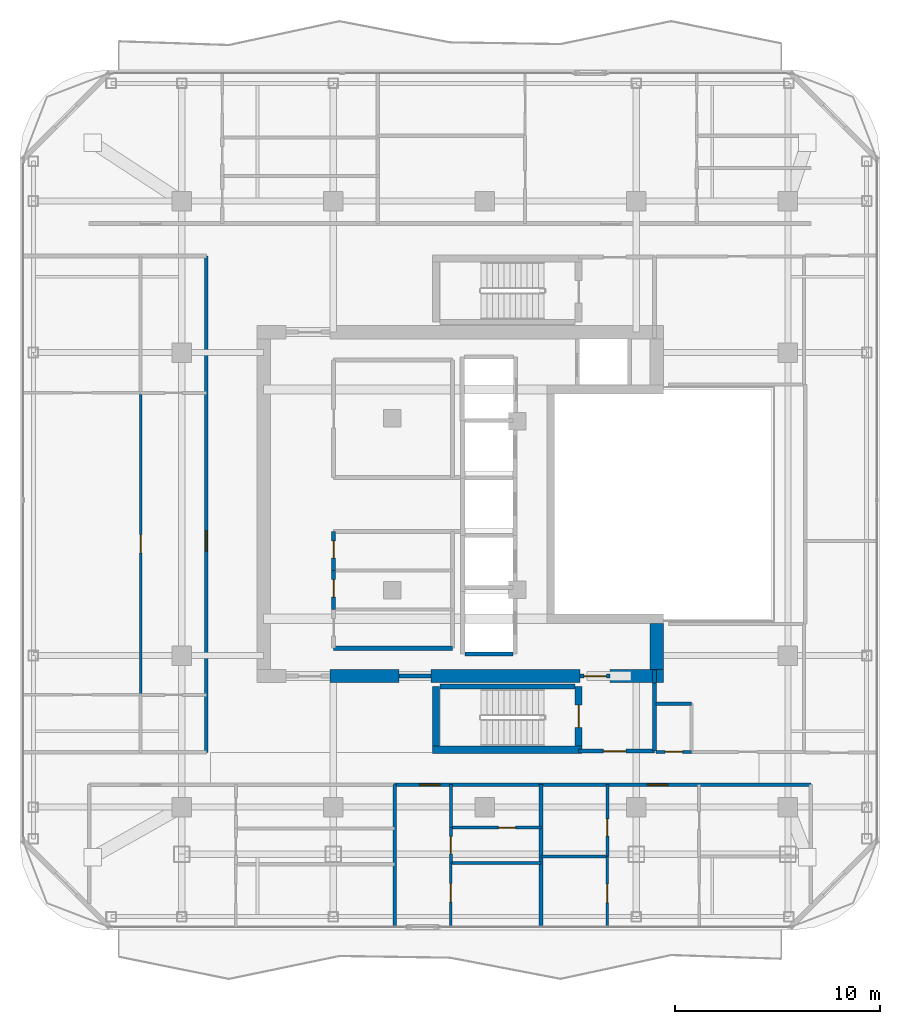
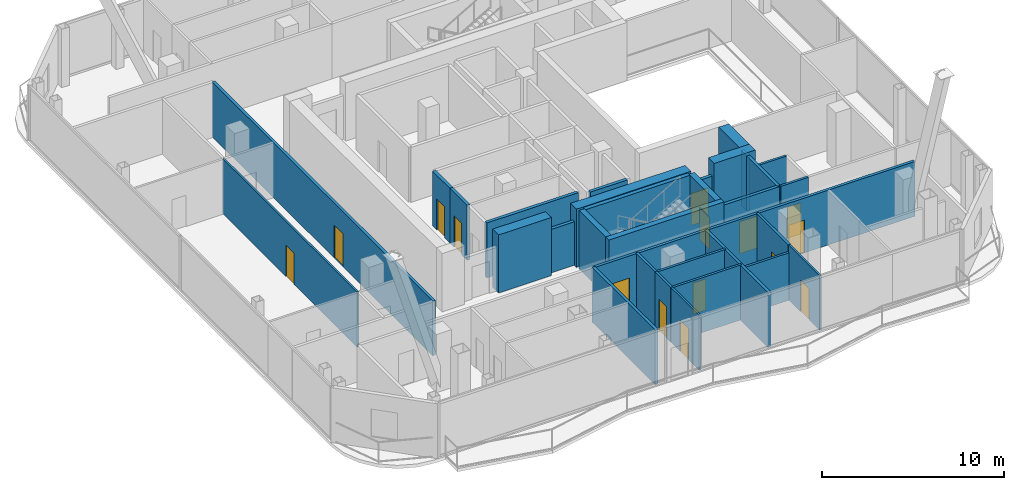
# One storey, part 18 of 24: 33 walls, 15 doors, 15 openings.
"""IFC4 building model written with IfcOpenShell, lengths in metres."""

from ifc_helpers import new_model, si_unit, direction, frame, frame_2d, origin, place, context, subcontext, project, spatial, rectangle, extrude, material, layer, layer_set, type_object, element, fill, save


model = new_model("IFC4")

# Units and contexts
model_context = context("Model", 3, precision=1e-05, world=origin(), true_north=direction((0.0, 1.0)))
body_context = subcontext(model_context, "Body", "Model", "MODEL_VIEW")
ifc_project = project(units=[si_unit("LENGTHUNIT", "METRE"), si_unit("AREAUNIT", "SQUARE_METRE"), si_unit("VOLUMEUNIT", "CUBIC_METRE"), si_unit("PLANEANGLEUNIT", "RADIAN"), si_unit("MASSUNIT", "GRAM", prefix="KILO")], contexts=[model_context])

# Site, building, storey
site_placement = place(None, origin())
site = spatial("IfcSite", under=ifc_project, at=site_placement, CompositionType="ELEMENT")
building_placement = place(site_placement, origin())
building = spatial("IfcBuilding", under=site, at=building_placement, Name="Khorvyn Point Tower", CompositionType="ELEMENT")
storey_placement = place(building_placement, frame((0.0, 0.0, 301.5)))
storey = spatial("IfcBuildingStorey", under=building, at=storey_placement, Name="L74", CompositionType="ELEMENT", Elevation=301.5)

# Wall, opening, door
ifc_material_1 = material(Name="Double acoustic gypsum on twin steel stud", Category="steel")
ifc_layer_1 = layer(ifc_material_1, 0.179931640625)
ifc_layer_set_1 = layer_set([ifc_layer_1], Name="Acoustic Double-Stud Apartment Demising Wall 180")
wall_type_1 = type_object("IfcWallType", Name="Acoustic Double-Stud Apartment Demising Wall 180", PredefinedType="PARTITIONING", material=ifc_layer_set_1)
wall_1_placement = place(storey_placement, frame((-4.402099609375, -13.699951171875, 0.0), z_axis=(0.0, 0.0, 1.0), x_axis=(1.0, 0.0, 0.0)))
wall_1 = element("IfcWall", 1, at=wall_1_placement, inside=storey, type_object=wall_type_1, Name="Wall", PredefinedType="PARTITIONING", context=body_context, shape_type="SweptSolid", body=[
    extrude(rectangle(XDim=7.148193359375, YDim=0.179931640625, at=frame_2d((3.57421875, 0.0))), origin(), (0.0, 0.0, 1.0), 3.679931640625),
])
opening_1_placement = place(wall_1_placement, frame((1.219482421875, 0.0, 0.0)))
opening_1 = element("IfcOpeningElement", 2, at=opening_1_placement, cuts=wall_1, Name="Opening ID-AP60", PredefinedType="OPENING", context=body_context, shape_type="SweptSolid", body=[
    extrude(rectangle(XDim=1.0, YDim=2.199951171875, at=frame_2d((0.5, 1.10009765625))), frame((0.0, 0.099853515625, 0.0), z_axis=(0.0, -1.0, 0.0), x_axis=(1.0, 0.0, 0.0)), (0.0, 0.0, 1.0), 0.199951171875),
])
ifc_material_2 = material(Name="Engineered hardwood fire-rated leaf", Category="wood")
door_type_1 = type_object("IfcDoorType", Name="Acoustic Solid-Core Timber Apartment Entrance Door 1000x2200", OperationType="NOTDEFINED", PredefinedType="DOOR", material=ifc_material_2)
door_1_placement = place(opening_1_placement, origin())
door_1 = element("IfcDoor", 3, at=door_1_placement, inside=storey, type_object=door_type_1, Name="Door", OperationType="SINGLE_SWING_LEFT", OverallHeight=2.199951171875, OverallWidth=1.0, PredefinedType="DOOR", context=body_context, shape_type="SweptSolid", body=[
    extrude(rectangle(XDim=1.0, YDim=2.199951171875, at=frame_2d((0.5, 1.10009765625))), frame((0.0, 0.02490234375, 0.0), z_axis=(0.0, -1.0, 0.0), x_axis=(1.0, 0.0, 0.0)), (0.0, 0.0, 1.0), 0.050048828125),
])
fill(opening_1, door_1)

wall_2_placement = place(storey_placement, frame((2.74609375, -13.699951171875, 0.0), z_axis=(0.0, 0.0, 1.0), x_axis=(1.0, 0.0, 0.0)))
wall_2 = element("IfcWall", 4, at=wall_2_placement, inside=storey, type_object=wall_type_1, Name="Wall", PredefinedType="PARTITIONING", context=body_context, shape_type="SweptSolid", body=[
    extrude(rectangle(XDim=13.173828125, YDim=0.179931640625, at=frame_2d((6.5869140625, 0.0))), origin(), (0.0, 0.0, 1.0), 3.679931640625),
])
opening_2_placement = place(wall_2_placement, frame((5.18896484375, 0.0, 0.0)))
opening_2 = element("IfcOpeningElement", 5, at=opening_2_placement, cuts=wall_2, Name="Opening ID-AP60", PredefinedType="OPENING", context=body_context, shape_type="SweptSolid", body=[
    extrude(rectangle(XDim=1.0, YDim=2.199951171875, at=frame_2d((0.5, 1.10009765625))), frame((0.0, 0.099853515625, 0.0), z_axis=(0.0, -1.0, 0.0), x_axis=(1.0, 0.0, 0.0)), (0.0, 0.0, 1.0), 0.199951171875),
])
door_2_placement = place(opening_2_placement, origin())
door_2 = element("IfcDoor", 6, at=door_2_placement, inside=storey, type_object=door_type_1, Name="Door", OperationType="SINGLE_SWING_LEFT", OverallHeight=2.199951171875, OverallWidth=1.0, PredefinedType="DOOR", context=body_context, shape_type="SweptSolid", body=[
    extrude(rectangle(XDim=1.0, YDim=2.199951171875, at=frame_2d((0.5, 1.10009765625))), frame((0.0, 0.02490234375, 0.0), z_axis=(0.0, -1.0, 0.0), x_axis=(1.0, 0.0, 0.0)), (0.0, 0.0, 1.0), 0.050048828125),
])
fill(opening_2, door_2)

wall_3_placement = place(storey_placement, frame((-13.60009765625, -12.1201171875, 0.0), z_axis=(0.0, 0.0, 1.0), x_axis=(0.0, 1.0, 0.0)))
wall_3 = element("IfcWall", 7, at=wall_3_placement, inside=storey, type_object=wall_type_1, Name="Wall", PredefinedType="PARTITIONING", context=body_context, shape_type="SweptSolid", body=[
    extrude(rectangle(XDim=24.240234375, YDim=0.179931640625, at=frame_2d((12.1201171875, 0.0))), origin(), (0.0, 0.0, 1.0), 3.679931640625),
])
opening_3_placement = place(wall_3_placement, frame((9.829345703125, 0.0, 0.0)))
opening_3 = element("IfcOpeningElement", 8, at=opening_3_placement, cuts=wall_3, Name="Opening ID-AP60", PredefinedType="OPENING", context=body_context, shape_type="SweptSolid", body=[
    extrude(rectangle(XDim=1.0, YDim=2.199951171875, at=frame_2d((0.5, 1.10009765625))), frame((0.0, 0.099853515625, 0.0), z_axis=(0.0, -1.0, 0.0), x_axis=(1.0, 0.0, 0.0)), (0.0, 0.0, 1.0), 0.199951171875),
])
door_3_placement = place(opening_3_placement, origin())
door_3 = element("IfcDoor", 9, at=door_3_placement, inside=storey, type_object=door_type_1, Name="Door", OperationType="SINGLE_SWING_RIGHT", OverallHeight=2.199951171875, OverallWidth=1.0, PredefinedType="DOOR", context=body_context, shape_type="SweptSolid", body=[
    extrude(rectangle(XDim=1.0, YDim=2.199951171875, at=frame_2d((0.5, 1.10009765625))), frame((0.0, 0.02490234375, 0.0), z_axis=(0.0, -1.0, 0.0), x_axis=(1.0, 0.0, 0.0)), (0.0, 0.0, 1.0), 0.050048828125),
])
fill(opening_3, door_3)

# Walls
for number, where, z_axis, x_axis, name in (
    (10, (-4.402099609375, -20.6298828125, 0.0), (0.0, 0.0, 1.0), (0.0, 1.0, 0.0), "Wall"),
    (11, (2.74609375, -20.6298828125, 0.0), (0.0, 0.0, 1.0), (0.0, 1.0, 0.0), "Wall"),
):
    element("IfcWall", number, at=place(storey_placement, frame(where, z_axis=z_axis, x_axis=x_axis)), inside=storey, type_object=wall_type_1, Name=name, PredefinedType="PARTITIONING", context=body_context, shape_type="SweptSolid", body=[
        extrude(rectangle(XDim=6.929931640625, YDim=0.179931640625, at=frame_2d((3.46484375, 0.0))), origin(), (0.0, 0.0, 1.0), 3.679931640625),
    ])
ifc_material_3 = material(Name="Concrete C40/50", Category="concrete")
ifc_layer_2 = layer(ifc_material_3, 0.64990234375)
ifc_layer_set_2 = layer_set([ifc_layer_2], Name="Concrete C40/50 Core Shear Wall 650")
wall_type_2 = type_object("IfcWallType", Name="Concrete C40/50 Core Shear Wall 650", PredefinedType="SHEAR", material=ifc_layer_set_2)
wall_4_placement = place(storey_placement, frame((-7.550048828125, -8.39990234375, 0.0), z_axis=(0.0, 0.0, 1.0), x_axis=(1.0, 0.0, 0.0)))
element("IfcWall", 12, at=wall_4_placement, inside=storey, type_object=wall_type_2, Name="Wall", PredefinedType="SHEAR", context=body_context, shape_type="SweptSolid", body=[
    extrude(rectangle(XDim=3.35009765625, YDim=0.64990234375, at=frame_2d((1.675048828125, 0.0))), origin(), (0.0, 0.0, 1.0), 3.89990234375),
])
wall_5_placement = place(storey_placement, frame((-2.6201171875, -8.39990234375, 0.0), z_axis=(0.0, 0.0, 1.0), x_axis=(1.0, 0.0, 0.0)))
element("IfcWall", 13, at=wall_5_placement, inside=storey, type_object=wall_type_2, Name="Wall", PredefinedType="SHEAR", context=body_context, shape_type="SweptSolid", body=[
    extrude(rectangle(XDim=7.27001953125, YDim=0.64990234375, at=frame_2d((3.635009765625, 0.0))), origin(), (0.0, 0.0, 1.0), 3.89990234375),
])
wall_6_placement = place(storey_placement, frame((6.1201171875, -8.39990234375, 0.0), z_axis=(0.0, 0.0, 1.0), x_axis=(1.0, 0.0, 0.0)))
element("IfcWall", 14, at=wall_6_placement, inside=storey, type_object=wall_type_2, Name="Wall", PredefinedType="SHEAR", context=body_context, shape_type="SweptSolid", body=[
    extrude(rectangle(XDim=2.60498046875, YDim=0.64990234375, at=frame_2d((1.302490234375, 0.0))), origin(), (0.0, 0.0, 1.0), 3.89990234375),
])
wall_7_placement = place(storey_placement, frame((8.39990234375, -8.074951171875, 0.0), z_axis=(0.0, 0.0, 1.0), x_axis=(0.0, 1.0, 0.0)))
element("IfcWall", 15, at=wall_7_placement, inside=storey, type_object=wall_type_2, Name="Wall", PredefinedType="SHEAR", context=body_context, shape_type="SweptSolid", body=[
    extrude(rectangle(XDim=2.25, YDim=0.64990234375, at=frame_2d((1.125, 0.0))), origin(), (0.0, 0.0, 1.0), 3.89990234375),
])

# Wall, opening, door
ifc_layer_3 = layer(ifc_material_3, 0.199951171875)
ifc_layer_set_3 = layer_set([ifc_layer_3], Name="Concrete C40/50 Fire-Lobby Compartment Wall 200")
wall_type_3 = type_object("IfcWallType", Name="Concrete C40/50 Fire-Lobby Compartment Wall 200", PredefinedType="SOLIDWALL", material=ifc_layer_set_3)
wall_8_placement = place(storey_placement, frame((4.580078125, -12.06005859375, 0.0), z_axis=(0.0, 0.0, 1.0), x_axis=(1.0, 0.0, 0.0)))
wall_8 = element("IfcWall", 16, at=wall_8_placement, inside=storey, type_object=wall_type_3, Name="Wall", PredefinedType="SOLIDWALL", context=body_context, shape_type="SweptSolid", body=[
    extrude(rectangle(XDim=3.699951171875, YDim=0.199951171875, at=frame_2d((1.85009765625, 0.0))), origin(), (0.0, 0.0, 1.0), 3.679931640625),
])
opening_4_placement = place(wall_8_placement, frame((1.21240234375, 0.0, 0.0)))
opening_4 = element("IfcOpeningElement", 17, at=opening_4_placement, cuts=wall_8, Name="Opening ID-FL90", PredefinedType="OPENING", context=body_context, shape_type="SweptSolid", body=[
    extrude(rectangle(XDim=1.10009765625, YDim=2.14990234375, at=frame_2d((0.550048828125, 1.074951171875))), frame((0.0, 0.10986328125, 0.0), z_axis=(0.0, -1.0, 0.0), x_axis=(1.0, 0.0, 0.0)), (0.0, 0.0, 1.0), 0.219970703125),
])
ifc_material_4 = material(Name="Galvanised powder-coated steel", Category="steel")
door_type_2 = type_object("IfcDoorType", Name="Fire-Rated Steel Lobby and Stair Door 1100x2150", OperationType="NOTDEFINED", PredefinedType="DOOR", material=ifc_material_4)
door_4_placement = place(opening_4_placement, origin())
door_4 = element("IfcDoor", 18, at=door_4_placement, inside=storey, type_object=door_type_2, Name="Door", OperationType="SINGLE_SWING_LEFT", OverallHeight=2.14990234375, OverallWidth=1.10009765625, PredefinedType="DOOR", context=body_context, shape_type="SweptSolid", body=[
    extrude(rectangle(XDim=1.10009765625, YDim=2.14990234375, at=frame_2d((0.550048828125, 1.074951171875))), frame((0.0, 0.02490234375, 0.0), z_axis=(0.0, -1.0, 0.0), x_axis=(1.0, 0.0, 0.0)), (0.0, 0.0, 1.0), 0.050048828125),
])
fill(opening_4, door_4)

wall_9_placement = place(storey_placement, frame((4.64990234375, -8.39990234375, 0.0), z_axis=(0.0, 0.0, 1.0), x_axis=(1.0, 0.0, 0.0)))
wall_9 = element("IfcWall", 19, at=wall_9_placement, inside=storey, type_object=wall_type_3, Name="Wall", PredefinedType="SOLIDWALL", context=body_context, shape_type="SweptSolid", body=[
    extrude(rectangle(XDim=1.47021484375, YDim=0.199951171875, at=frame_2d((0.735107421875, 0.0))), origin(), (0.0, 0.0, 1.0), 2.919921875),
])
opening_5_placement = place(wall_9_placement, frame((0.18505859375, 0.0, 0.0)))
opening_5 = element("IfcOpeningElement", 20, at=opening_5_placement, cuts=wall_9, Name="Opening ID-FL90", PredefinedType="OPENING", context=body_context, shape_type="SweptSolid", body=[
    extrude(rectangle(XDim=1.10009765625, YDim=2.14990234375, at=frame_2d((0.550048828125, 1.074951171875))), frame((0.0, 0.10986328125, 0.0), z_axis=(0.0, -1.0, 0.0), x_axis=(1.0, 0.0, 0.0)), (0.0, 0.0, 1.0), 0.219970703125),
])
door_5_placement = place(opening_5_placement, origin())
door_5 = element("IfcDoor", 21, at=door_5_placement, inside=storey, type_object=door_type_2, Name="Door", OperationType="SINGLE_SWING_RIGHT", OverallHeight=2.14990234375, OverallWidth=1.10009765625, PredefinedType="DOOR", context=body_context, shape_type="SweptSolid", body=[
    extrude(rectangle(XDim=1.10009765625, YDim=2.14990234375, at=frame_2d((0.550048828125, 1.074951171875))), frame((0.0, 0.02490234375, 0.0), z_axis=(0.0, -1.0, 0.0), x_axis=(1.0, 0.0, 0.0)), (0.0, 0.0, 1.0), 0.050048828125),
])
fill(opening_5, door_5)

wall_10_placement = place(storey_placement, frame((-7.3798828125, -5.139892578125, 0.0), z_axis=(0.0, 0.0, 1.0), x_axis=(0.0, 1.0, 0.0)))
wall_10 = element("IfcWall", 22, at=wall_10_placement, inside=storey, type_object=wall_type_3, Name="Wall", PredefinedType="SOLIDWALL", context=body_context, shape_type="SweptSolid", body=[
    extrude(rectangle(XDim=1.89990234375, YDim=0.199951171875, at=frame_2d((0.949951171875, 0.0))), origin(), (0.0, 0.0, 1.0), 3.679931640625),
])
opening_6_placement = place(wall_10_placement, frame((0.597900390625, 0.0, 0.0)))
opening_6 = element("IfcOpeningElement", 23, at=opening_6_placement, cuts=wall_10, Name="Opening ID-WC85", PredefinedType="OPENING", context=body_context, shape_type="SweptSolid", body=[
    extrude(rectangle(XDim=0.85009765625, YDim=2.10009765625, at=frame_2d((0.425048828125, 1.050048828125))), frame((0.0, 0.10986328125, 0.0), z_axis=(0.0, -1.0, 0.0), x_axis=(1.0, 0.0, 0.0)), (0.0, 0.0, 1.0), 0.219970703125),
])
ifc_material_5 = material(Name="High-pressure laminate on moisture-resistant core", Category="wood")
door_type_3 = type_object("IfcDoorType", Name="Moisture-Resistant Accessible Washroom Door 850x2100", OperationType="NOTDEFINED", PredefinedType="DOOR", material=ifc_material_5)
door_6_placement = place(opening_6_placement, origin())
door_6 = element("IfcDoor", 24, at=door_6_placement, inside=storey, type_object=door_type_3, Name="Door", OperationType="SINGLE_SWING_LEFT", OverallHeight=2.10009765625, OverallWidth=0.85009765625, PredefinedType="DOOR", context=body_context, shape_type="SweptSolid", body=[
    extrude(rectangle(XDim=0.85009765625, YDim=2.10009765625, at=frame_2d((0.425048828125, 1.050048828125))), frame((0.0, 0.02490234375, 0.0), z_axis=(0.0, -1.0, 0.0), x_axis=(1.0, 0.0, 0.0)), (0.0, 0.0, 1.0), 0.050048828125),
])
fill(opening_6, door_6)

wall_11_placement = place(storey_placement, frame((-7.3798828125, -3.239990234375, 0.0), z_axis=(0.0, 0.0, 1.0), x_axis=(0.0, 1.0, 0.0)))
wall_11 = element("IfcWall", 25, at=wall_11_placement, inside=storey, type_object=wall_type_3, Name="Wall", PredefinedType="SOLIDWALL", context=body_context, shape_type="SweptSolid", body=[
    extrude(rectangle(XDim=1.89990234375, YDim=0.199951171875, at=frame_2d((0.949951171875, 0.0))), origin(), (0.0, 0.0, 1.0), 3.679931640625),
])
opening_7_placement = place(wall_11_placement, frame((0.597900390625, 0.0, 0.0)))
opening_7 = element("IfcOpeningElement", 26, at=opening_7_placement, cuts=wall_11, Name="Opening ID-WC85", PredefinedType="OPENING", context=body_context, shape_type="SweptSolid", body=[
    extrude(rectangle(XDim=0.85009765625, YDim=2.10009765625, at=frame_2d((0.425048828125, 1.050048828125))), frame((0.0, 0.10986328125, 0.0), z_axis=(0.0, -1.0, 0.0), x_axis=(1.0, 0.0, 0.0)), (0.0, 0.0, 1.0), 0.219970703125),
])
door_7_placement = place(opening_7_placement, origin())
door_7 = element("IfcDoor", 27, at=door_7_placement, inside=storey, type_object=door_type_3, Name="Door", OperationType="SINGLE_SWING_RIGHT", OverallHeight=2.10009765625, OverallWidth=0.85009765625, PredefinedType="DOOR", context=body_context, shape_type="SweptSolid", body=[
    extrude(rectangle(XDim=0.85009765625, YDim=2.10009765625, at=frame_2d((0.425048828125, 1.050048828125))), frame((0.0, 0.02490234375, 0.0), z_axis=(0.0, -1.0, 0.0), x_axis=(1.0, 0.0, 0.0)), (0.0, 0.0, 1.0), 0.050048828125),
])
fill(opening_7, door_7)

# Walls
wall_12_placement = place(storey_placement, frame((8.280029296875, -12.06005859375, 0.0), z_axis=(0.0, 0.0, 1.0), x_axis=(0.0, 1.0, 0.0)))
element("IfcWall", 28, at=wall_12_placement, inside=storey, type_object=wall_type_3, Name="Wall", PredefinedType="SOLIDWALL", context=body_context, shape_type="SweptSolid", body=[
    extrude(rectangle(XDim=3.3349609375, YDim=0.199951171875, at=frame_2d((1.66748046875, 0.0))), origin(), (0.0, 0.0, 1.0), 3.679931640625),
])
wall_13_placement = place(storey_placement, frame((-4.199951171875, -8.39990234375, 0.0), z_axis=(0.0, 0.0, 1.0), x_axis=(1.0, 0.0, 0.0)))
element("IfcWall", 29, at=wall_13_placement, inside=storey, type_object=wall_type_3, Name="Wall", PredefinedType="SOLIDWALL", context=body_context, shape_type="SweptSolid", body=[
    extrude(rectangle(XDim=1.579833984375, YDim=0.199951171875, at=frame_2d((0.7900390625, 0.0))), origin(), (0.0, 0.0, 1.0), 2.919921875),
])
wall_14_placement = place(storey_placement, frame((-7.3798828125, -7.0400390625, 0.0), z_axis=(0.0, 0.0, 1.0), x_axis=(1.0, 0.0, 0.0)))
element("IfcWall", 30, at=wall_14_placement, inside=storey, type_object=wall_type_3, Name="Wall", PredefinedType="SOLIDWALL", context=body_context, shape_type="SweptSolid", body=[
    extrude(rectangle(XDim=5.7998046875, YDim=0.199951171875, at=frame_2d((2.89990234375, 0.0))), origin(), (0.0, 0.0, 1.0), 3.679931640625),
])
wall_15_placement = place(storey_placement, frame((8.280029296875, -8.72509765625, 0.0), z_axis=(0.0, 0.0, 1.0), x_axis=(0.0, 1.0, 0.0)))
element("IfcWall", 31, at=wall_15_placement, inside=storey, type_object=wall_type_3, Name="Wall", PredefinedType="SOLIDWALL", context=body_context, shape_type="SweptSolid", body=[
    extrude(rectangle(XDim=0.625, YDim=0.199951171875, at=frame_2d((0.3125, 0.0))), origin(), (0.0, 0.0, 1.0), 3.679931640625),
])
ifc_layer_4 = layer(ifc_material_3, 0.25)
ifc_layer_set_4 = layer_set([ifc_layer_4], Name="Concrete C40/50 Stair Inner Cheek Structural Wall 250")
wall_type_4 = type_object("IfcWallType", Name="Concrete C40/50 Stair Inner Cheek Structural Wall 250", PredefinedType="SHEAR", material=ifc_layer_set_4)
wall_16_placement = place(storey_placement, frame((-2.199951171875, -8.89990234375, 0.0), z_axis=(0.0, 0.0, 1.0), x_axis=(1.0, 0.0, 0.0)))
element("IfcWall", 32, at=wall_16_placement, inside=storey, type_object=wall_type_4, Name="Wall", PredefinedType="SHEAR", context=body_context, shape_type="SweptSolid", body=[
    extrude(rectangle(XDim=6.599853515625, YDim=0.25, at=frame_2d((3.2998046875, 0.0))), origin(), (0.0, 0.0, 1.0), 3.89990234375),
])
ifc_layer_5 = layer(ifc_material_3, 0.35009765625)
ifc_layer_set_5 = layer_set([ifc_layer_5], Name="Concrete C40/50 Stair Shaft Structural Wall 350")
wall_type_5 = type_object("IfcWallType", Name="Concrete C40/50 Stair Shaft Structural Wall 350", PredefinedType="SHEAR", material=ifc_layer_set_5)
wall_17_placement = place(storey_placement, frame((-2.554931640625, -12.0, 0.0), z_axis=(0.0, 0.0, 1.0), x_axis=(1.0, 0.0, 0.0)))
element("IfcWall", 33, at=wall_17_placement, inside=storey, type_object=wall_type_5, Name="L74 ST-01 South Shaft Wall", PredefinedType="SHEAR", context=body_context, shape_type="SweptSolid", body=[
    extrude(rectangle(XDim=7.309814453125, YDim=0.35009765625, at=frame_2d((3.65478515625, 0.0))), origin(), (0.0, 0.0, 1.0), 3.89990234375),
])
wall_18_placement = place(storey_placement, frame((-2.3798828125, -11.824951171875, 0.0), z_axis=(0.0, 0.0, 1.0), x_axis=(0.0, 1.0, 0.0)))
element("IfcWall", 34, at=wall_18_placement, inside=storey, type_object=wall_type_5, Name="L74 ST-01 West Shaft Wall", PredefinedType="SHEAR", context=body_context, shape_type="SweptSolid", body=[
    extrude(rectangle(XDim=2.925048828125, YDim=0.35009765625, at=frame_2d((1.46240234375, 0.0))), origin(), (0.0, 0.0, 1.0), 3.89990234375),
])

# Wall, opening, door
wall_19_placement = place(storey_placement, frame((4.580078125, -8.89990234375, 0.0), z_axis=(0.0, 0.0, 1.0), x_axis=(0.0, -1.0, 0.0)))
wall_19 = element("IfcWall", 35, at=wall_19_placement, inside=storey, type_object=wall_type_5, Name="L74 ST-01 East Landing Door Wall", PredefinedType="SHEAR", context=body_context, shape_type="SweptSolid", body=[
    extrude(rectangle(XDim=2.925048828125, YDim=0.35009765625, at=frame_2d((1.46240234375, 0.0))), origin(), (0.0, 0.0, 1.0), 3.89990234375),
])
opening_8_placement = place(wall_19_placement, frame((0.91259765625, 0.0, 0.0)))
opening_8 = element("IfcOpeningElement", 36, at=opening_8_placement, cuts=wall_19, Name="Opening ID-FL90", PredefinedType="OPENING", context=body_context, shape_type="SweptSolid", body=[
    extrude(rectangle(XDim=1.10009765625, YDim=2.14990234375, at=frame_2d((0.550048828125, 1.074951171875))), frame((0.0, 0.18505859375, 0.0), z_axis=(0.0, -1.0, 0.0), x_axis=(1.0, 0.0, 0.0)), (0.0, 0.0, 1.0), 0.3701171875),
])
door_8_placement = place(opening_8_placement, origin())
door_8 = element("IfcDoor", 37, at=door_8_placement, inside=storey, type_object=door_type_2, Name="L74 ST-01 Smokeproof Landing Door", OperationType="SINGLE_SWING_RIGHT", OverallHeight=2.14990234375, OverallWidth=1.10009765625, PredefinedType="DOOR", context=body_context, shape_type="SweptSolid", body=[
    extrude(rectangle(XDim=1.10009765625, YDim=2.14990234375, at=frame_2d((0.550048828125, 1.074951171875))), frame((0.0, 0.02490234375, 0.0), z_axis=(0.0, -1.0, 0.0), x_axis=(1.0, 0.0, 0.0)), (0.0, 0.0, 1.0), 0.050048828125),
])
fill(opening_8, door_8)

# Wall
ifc_layer_6 = layer(ifc_material_3, 0.199951171875)
ifc_layer_set_6 = layer_set([ifc_layer_6], Name="Concrete C40/50 Structural Hoistway and Stair Shaft Wall 200")
wall_type_6 = type_object("IfcWallType", Name="Concrete C40/50 Structural Hoistway and Stair Shaft Wall 200", PredefinedType="SHEAR", material=ifc_layer_set_6)
wall_20_placement = place(storey_placement, frame((-0.97509765625, -7.324951171875, 0.0), z_axis=(0.0, 0.0, 1.0), x_axis=(1.0, 0.0, 0.0)))
element("IfcWall", 38, at=wall_20_placement, inside=storey, type_object=wall_type_6, Name="Wall", PredefinedType="SHEAR", context=body_context, shape_type="SweptSolid", body=[
    extrude(rectangle(XDim=2.35009765625, YDim=0.199951171875, at=frame_2d((1.175048828125, 0.0))), origin(), (0.0, 0.0, 1.0), 3.679931640625),
])

# Wall, opening, door
ifc_material_6 = material(Name="Gypsum plasterboard on steel stud", Category="steel")
ifc_layer_7 = layer(ifc_material_6, 0.1201171875)
ifc_layer_set_7 = layer_set([ifc_layer_7], Name="Gypsum Acoustic Stud Room Partition Wall 120")
wall_type_7 = type_object("IfcWallType", Name="Gypsum Acoustic Stud Room Partition Wall 120", PredefinedType="PARTITIONING", material=ifc_layer_set_7)
wall_21_placement = place(storey_placement, frame((-1.652099609375, -20.6298828125, 0.0), z_axis=(0.0, 0.0, 1.0), x_axis=(0.0, 1.0, 0.0)))
wall_21 = element("IfcWall", 39, at=wall_21_placement, inside=storey, type_object=wall_type_7, Name="Wall", PredefinedType="PARTITIONING", context=body_context, shape_type="SweptSolid", body=[
    extrude(rectangle(XDim=3.10595703125, YDim=0.1201171875, at=frame_2d((1.552978515625, 0.0))), origin(), (0.0, 0.0, 1.0), 3.679931640625),
])
opening_9_placement = place(wall_21_placement, frame((1.188720703125, 0.0, 0.0)))
opening_9 = element("IfcOpeningElement", 40, at=opening_9_placement, cuts=wall_21, Name="Opening ID-RM90", PredefinedType="OPENING", context=body_context, shape_type="SweptSolid", body=[
    extrude(rectangle(XDim=0.89990234375, YDim=2.10009765625, at=frame_2d((0.449951171875, 1.050048828125))), frame((0.0, 0.070068359375, 0.0), z_axis=(0.0, -1.0, 0.0), x_axis=(1.0, 0.0, 0.0)), (0.0, 0.0, 1.0), 0.14013671875),
])
ifc_material_7 = material(Name="Engineered oak veneer timber", Category="wood")
door_type_4 = type_object("IfcDoorType", Name="Flush Engineered Timber Room Door 900x2100", OperationType="NOTDEFINED", PredefinedType="DOOR", material=ifc_material_7)
door_9_placement = place(opening_9_placement, origin())
door_9 = element("IfcDoor", 41, at=door_9_placement, inside=storey, type_object=door_type_4, Name="Door", OperationType="SINGLE_SWING_RIGHT", OverallHeight=2.10009765625, OverallWidth=0.89990234375, PredefinedType="DOOR", context=body_context, shape_type="SweptSolid", body=[
    extrude(rectangle(XDim=0.89990234375, YDim=2.10009765625, at=frame_2d((0.449951171875, 1.050048828125))), frame((0.0, 0.02490234375, 0.0), z_axis=(0.0, -1.0, 0.0), x_axis=(1.0, 0.0, 0.0)), (0.0, 0.0, 1.0), 0.050048828125),
])
fill(opening_9, door_9)

wall_22_placement = place(storey_placement, frame((5.985107421875, -20.6298828125, 0.0), z_axis=(0.0, 0.0, 1.0), x_axis=(0.0, 1.0, 0.0)))
wall_22 = element("IfcWall", 42, at=wall_22_placement, inside=storey, type_object=wall_type_7, Name="Wall", PredefinedType="PARTITIONING", context=body_context, shape_type="SweptSolid", body=[
    extrude(rectangle(XDim=3.410888671875, YDim=0.1201171875, at=frame_2d((1.70556640625, 0.0))), origin(), (0.0, 0.0, 1.0), 3.679931640625),
])
opening_10_placement = place(wall_22_placement, frame((1.171142578125, 0.0, 0.0)))
opening_10 = element("IfcOpeningElement", 43, at=opening_10_placement, cuts=wall_22, Name="Opening ID-RM90", PredefinedType="OPENING", context=body_context, shape_type="SweptSolid", body=[
    extrude(rectangle(XDim=0.89990234375, YDim=2.10009765625, at=frame_2d((0.449951171875, 1.050048828125))), frame((0.0, 0.070068359375, 0.0), z_axis=(0.0, -1.0, 0.0), x_axis=(1.0, 0.0, 0.0)), (0.0, 0.0, 1.0), 0.14013671875),
])
door_10_placement = place(opening_10_placement, origin())
door_10 = element("IfcDoor", 44, at=door_10_placement, inside=storey, type_object=door_type_4, Name="Door", OperationType="SINGLE_SWING_LEFT", OverallHeight=2.10009765625, OverallWidth=0.89990234375, PredefinedType="DOOR", context=body_context, shape_type="SweptSolid", body=[
    extrude(rectangle(XDim=0.89990234375, YDim=2.10009765625, at=frame_2d((0.449951171875, 1.050048828125))), frame((0.0, 0.02490234375, 0.0), z_axis=(0.0, -1.0, 0.0), x_axis=(1.0, 0.0, 0.0)), (0.0, 0.0, 1.0), 0.050048828125),
])
fill(opening_10, door_10)

wall_23_placement = place(storey_placement, frame((-16.80908203125, -9.320068359375, 0.0), z_axis=(0.0, 0.0, 1.0), x_axis=(0.0, 1.0, 0.0)))
wall_23 = element("IfcWall", 45, at=wall_23_placement, inside=storey, type_object=wall_type_7, Name="Wall", PredefinedType="PARTITIONING", context=body_context, shape_type="SweptSolid", body=[
    extrude(rectangle(XDim=14.756103515625, YDim=0.1201171875, at=frame_2d((7.3779296875, 0.0))), origin(), (0.0, 0.0, 1.0), 3.679931640625),
])
opening_11_placement = place(wall_23_placement, frame((6.927978515625, 0.0, 0.0)))
opening_11 = element("IfcOpeningElement", 46, at=opening_11_placement, cuts=wall_23, Name="Opening ID-RM90", PredefinedType="OPENING", context=body_context, shape_type="SweptSolid", body=[
    extrude(rectangle(XDim=0.89990234375, YDim=2.10009765625, at=frame_2d((0.449951171875, 1.050048828125))), frame((0.0, 0.070068359375, 0.0), z_axis=(0.0, -1.0, 0.0), x_axis=(1.0, 0.0, 0.0)), (0.0, 0.0, 1.0), 0.14013671875),
])
door_11_placement = place(opening_11_placement, origin())
door_11 = element("IfcDoor", 47, at=door_11_placement, inside=storey, type_object=door_type_4, Name="Door", OperationType="SINGLE_SWING_LEFT", OverallHeight=2.10009765625, OverallWidth=0.89990234375, PredefinedType="DOOR", context=body_context, shape_type="SweptSolid", body=[
    extrude(rectangle(XDim=0.89990234375, YDim=2.10009765625, at=frame_2d((0.449951171875, 1.050048828125))), frame((0.0, 0.02490234375, 0.0), z_axis=(0.0, -1.0, 0.0), x_axis=(1.0, 0.0, 0.0)), (0.0, 0.0, 1.0), 0.050048828125),
])
fill(opening_11, door_11)

ifc_material_8 = material(Name="Moisture-resistant gypsum and cement board", Category="gypsum")
ifc_layer_8 = layer(ifc_material_8, 0.14990234375)
ifc_layer_set_8 = layer_set([ifc_layer_8], Name="Moisture-Resistant Wet-Room Partition Wall 150")
wall_type_8 = type_object("IfcWallType", Name="Moisture-Resistant Wet-Room Partition Wall 150", PredefinedType="PARTITIONING", material=ifc_layer_set_8)
wall_24_placement = place(storey_placement, frame((8.360107421875, -12.10009765625, 0.0), z_axis=(0.0, 0.0, 1.0), x_axis=(1.0, 0.0, 0.0)))
wall_24 = element("IfcWall", 48, at=wall_24_placement, inside=storey, type_object=wall_type_8, Name="Wall", PredefinedType="PARTITIONING", context=body_context, shape_type="SweptSolid", body=[
    extrude(rectangle(XDim=1.739990234375, YDim=0.14990234375, at=frame_2d((0.8701171875, 0.0))), origin(), (0.0, 0.0, 1.0), 3.679931640625),
])
opening_12_placement = place(wall_24_placement, frame((0.445068359375, 0.0, 0.0)))
opening_12 = element("IfcOpeningElement", 49, at=opening_12_placement, cuts=wall_24, Name="Opening ID-WC85", PredefinedType="OPENING", context=body_context, shape_type="SweptSolid", body=[
    extrude(rectangle(XDim=0.85009765625, YDim=2.10009765625, at=frame_2d((0.425048828125, 1.050048828125))), frame((0.0, 0.0849609375, 0.0), z_axis=(0.0, -1.0, 0.0), x_axis=(1.0, 0.0, 0.0)), (0.0, 0.0, 1.0), 0.169921875),
])
door_12_placement = place(opening_12_placement, origin())
door_12 = element("IfcDoor", 50, at=door_12_placement, inside=storey, type_object=door_type_3, Name="Door", OperationType="SINGLE_SWING_RIGHT", OverallHeight=2.10009765625, OverallWidth=0.85009765625, PredefinedType="DOOR", context=body_context, shape_type="SweptSolid", body=[
    extrude(rectangle(XDim=0.85009765625, YDim=2.10009765625, at=frame_2d((0.425048828125, 1.050048828125))), frame((0.0, 0.02490234375, 0.0), z_axis=(0.0, -1.0, 0.0), x_axis=(1.0, 0.0, 0.0)), (0.0, 0.0, 1.0), 0.050048828125),
])
fill(opening_12, door_12)

# Wall
wall_25_placement = place(storey_placement, frame((-1.652099609375, -15.802978515625, 0.0), z_axis=(0.0, 0.0, 1.0), x_axis=(0.0, 1.0, 0.0)))
element("IfcWall", 51, at=wall_25_placement, inside=storey, type_object=wall_type_8, Name="Wall", PredefinedType="PARTITIONING", context=body_context, shape_type="SweptSolid", body=[
    extrude(rectangle(XDim=2.10302734375, YDim=0.14990234375, at=frame_2d((1.051513671875, 0.0))), origin(), (0.0, 0.0, 1.0), 3.679931640625),
])

# Wall, opening, door
wall_26_placement = place(storey_placement, frame((-1.652099609375, -17.52392578125, 0.0), z_axis=(0.0, 0.0, 1.0), x_axis=(0.0, 1.0, 0.0)))
wall_26 = element("IfcWall", 52, at=wall_26_placement, inside=storey, type_object=wall_type_8, Name="Wall", PredefinedType="PARTITIONING", context=body_context, shape_type="SweptSolid", body=[
    extrude(rectangle(XDim=1.720947265625, YDim=0.14990234375, at=frame_2d((0.8603515625, 0.0))), origin(), (0.0, 0.0, 1.0), 3.679931640625),
])
opening_13_placement = place(wall_26_placement, frame((0.435546875, 0.0, 0.0)))
opening_13 = element("IfcOpeningElement", 53, at=opening_13_placement, cuts=wall_26, Name="Opening ID-WC85", PredefinedType="OPENING", context=body_context, shape_type="SweptSolid", body=[
    extrude(rectangle(XDim=0.85009765625, YDim=2.10009765625, at=frame_2d((0.425048828125, 1.050048828125))), frame((0.0, 0.0849609375, 0.0), z_axis=(0.0, -1.0, 0.0), x_axis=(1.0, 0.0, 0.0)), (0.0, 0.0, 1.0), 0.169921875),
])
door_13_placement = place(opening_13_placement, origin())
door_13 = element("IfcDoor", 54, at=door_13_placement, inside=storey, type_object=door_type_3, Name="Door", OperationType="SINGLE_SWING_LEFT", OverallHeight=2.10009765625, OverallWidth=0.85009765625, PredefinedType="DOOR", context=body_context, shape_type="SweptSolid", body=[
    extrude(rectangle(XDim=0.85009765625, YDim=2.10009765625, at=frame_2d((0.425048828125, 1.050048828125))), frame((0.0, 0.02490234375, 0.0), z_axis=(0.0, -1.0, 0.0), x_axis=(1.0, 0.0, 0.0)), (0.0, 0.0, 1.0), 0.050048828125),
])
fill(opening_13, door_13)

wall_27_placement = place(storey_placement, frame((5.985107421875, -17.218994140625, 0.0), z_axis=(0.0, 0.0, 1.0), x_axis=(0.0, 1.0, 0.0)))
wall_27 = element("IfcWall", 55, at=wall_27_placement, inside=storey, type_object=wall_type_8, Name="Wall", PredefinedType="PARTITIONING", context=body_context, shape_type="SweptSolid", body=[
    extrude(rectangle(XDim=3.51904296875, YDim=0.14990234375, at=frame_2d((1.759521484375, 0.0))), origin(), (0.0, 0.0, 1.0), 3.679931640625),
])
opening_14_placement = place(wall_27_placement, frame((0.998779296875, 0.0, 0.0)))
opening_14 = element("IfcOpeningElement", 56, at=opening_14_placement, cuts=wall_27, Name="Opening ID-WC85", PredefinedType="OPENING", context=body_context, shape_type="SweptSolid", body=[
    extrude(rectangle(XDim=0.85009765625, YDim=2.10009765625, at=frame_2d((0.425048828125, 1.050048828125))), frame((0.0, 0.0849609375, 0.0), z_axis=(0.0, -1.0, 0.0), x_axis=(1.0, 0.0, 0.0)), (0.0, 0.0, 1.0), 0.169921875),
])
door_14_placement = place(opening_14_placement, origin())
door_14 = element("IfcDoor", 57, at=door_14_placement, inside=storey, type_object=door_type_3, Name="Door", OperationType="SINGLE_SWING_RIGHT", OverallHeight=2.10009765625, OverallWidth=0.85009765625, PredefinedType="DOOR", context=body_context, shape_type="SweptSolid", body=[
    extrude(rectangle(XDim=0.85009765625, YDim=2.10009765625, at=frame_2d((0.425048828125, 1.050048828125))), frame((0.0, 0.02490234375, 0.0), z_axis=(0.0, -1.0, 0.0), x_axis=(1.0, 0.0, 0.0)), (0.0, 0.0, 1.0), 0.050048828125),
])
fill(opening_14, door_14)

# Wall
wall_28_placement = place(storey_placement, frame((8.360107421875, -9.75, 0.0), z_axis=(0.0, 0.0, 1.0), x_axis=(1.0, 0.0, 0.0)))
element("IfcWall", 58, at=wall_28_placement, inside=storey, type_object=wall_type_8, Name="Wall", PredefinedType="PARTITIONING", context=body_context, shape_type="SweptSolid", body=[
    extrude(rectangle(XDim=1.739990234375, YDim=0.14990234375, at=frame_2d((0.8701171875, 0.0))), origin(), (0.0, 0.0, 1.0), 3.679931640625),
])

# Wall, opening, door
wall_29_placement = place(storey_placement, frame((-1.652099609375, -15.802978515625, 0.0), z_axis=(0.0, 0.0, 1.0), x_axis=(1.0, 0.0, 0.0)))
wall_29 = element("IfcWall", 59, at=wall_29_placement, inside=storey, type_object=wall_type_8, Name="Wall", PredefinedType="PARTITIONING", context=body_context, shape_type="SweptSolid", body=[
    extrude(rectangle(XDim=4.398193359375, YDim=0.14990234375, at=frame_2d((2.19921875, 0.0))), origin(), (0.0, 0.0, 1.0), 3.679931640625),
])
opening_15_placement = place(wall_29_placement, frame((2.31201171875, 0.0, 0.0)))
opening_15 = element("IfcOpeningElement", 60, at=opening_15_placement, cuts=wall_29, Name="Opening ID-WC85", PredefinedType="OPENING", context=body_context, shape_type="SweptSolid", body=[
    extrude(rectangle(XDim=0.85009765625, YDim=2.10009765625, at=frame_2d((0.425048828125, 1.050048828125))), frame((0.0, 0.0849609375, 0.0), z_axis=(0.0, -1.0, 0.0), x_axis=(1.0, 0.0, 0.0)), (0.0, 0.0, 1.0), 0.169921875),
])
door_15_placement = place(opening_15_placement, origin())
door_15 = element("IfcDoor", 61, at=door_15_placement, inside=storey, type_object=door_type_3, Name="Door", OperationType="SINGLE_SWING_RIGHT", OverallHeight=2.10009765625, OverallWidth=0.85009765625, PredefinedType="DOOR", context=body_context, shape_type="SweptSolid", body=[
    extrude(rectangle(XDim=0.85009765625, YDim=2.10009765625, at=frame_2d((0.425048828125, 1.050048828125))), frame((0.0, 0.02490234375, 0.0), z_axis=(0.0, -1.0, 0.0), x_axis=(1.0, 0.0, 0.0)), (0.0, 0.0, 1.0), 0.050048828125),
])
fill(opening_15, door_15)

# Walls
wall_30_placement = place(storey_placement, frame((-1.652099609375, -17.52392578125, 0.0), z_axis=(0.0, 0.0, 1.0), x_axis=(1.0, 0.0, 0.0)))
element("IfcWall", 62, at=wall_30_placement, inside=storey, type_object=wall_type_8, Name="Wall", PredefinedType="PARTITIONING", context=body_context, shape_type="SweptSolid", body=[
    extrude(rectangle(XDim=4.398193359375, YDim=0.14990234375, at=frame_2d((2.19921875, 0.0))), origin(), (0.0, 0.0, 1.0), 3.679931640625),
])
wall_31_placement = place(storey_placement, frame((2.74609375, -17.218994140625, 0.0), z_axis=(0.0, 0.0, 1.0), x_axis=(1.0, 0.0, 0.0)))
element("IfcWall", 63, at=wall_31_placement, inside=storey, type_object=wall_type_8, Name="Wall", PredefinedType="PARTITIONING", context=body_context, shape_type="SweptSolid", body=[
    extrude(rectangle(XDim=3.239013671875, YDim=0.14990234375, at=frame_2d((1.61962890625, 0.0))), origin(), (0.0, 0.0, 1.0), 3.181884765625),
])

save(model, "model.ifc")
